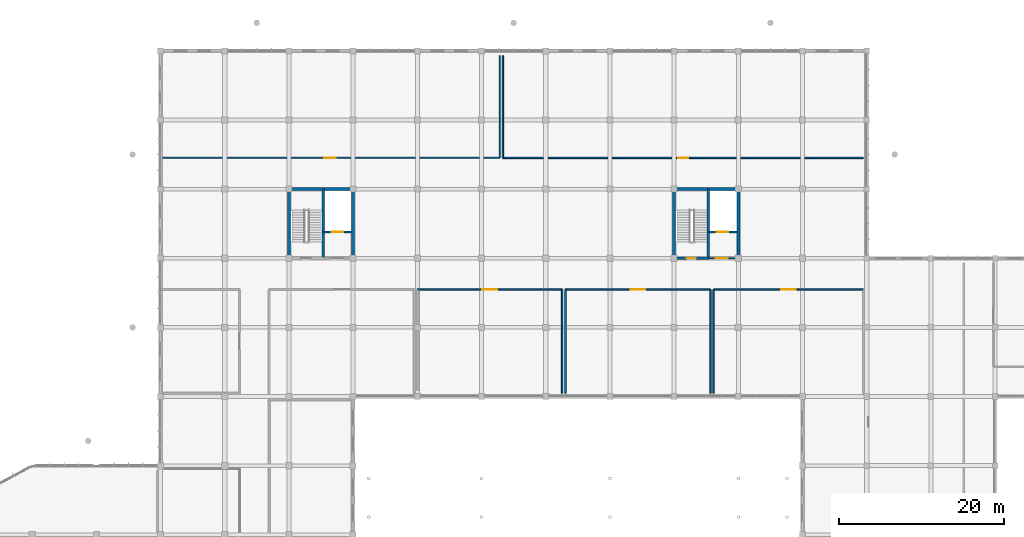
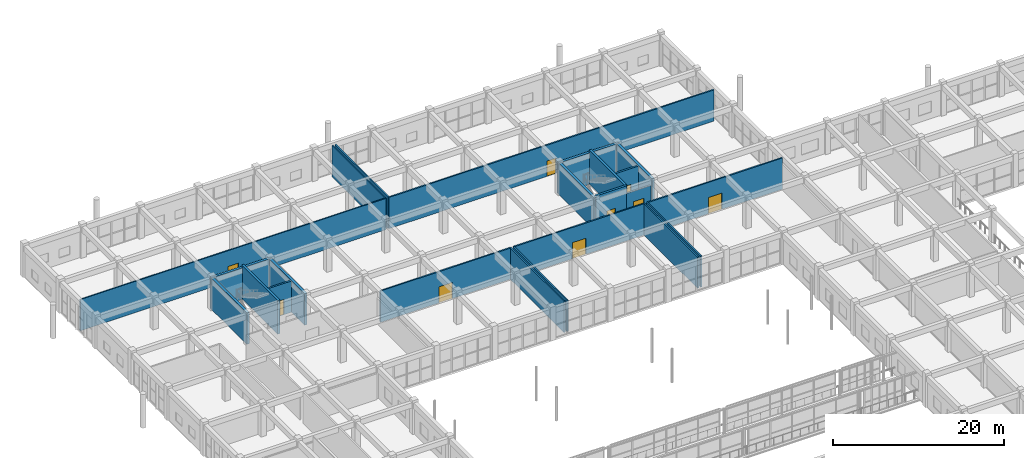
# One storey, part 163 of 175: 23 walls, 9 doors, 9 openings.
"""IFC4 building model written with IfcOpenShell, lengths in metres."""

from ifc_helpers import new_model, si_unit, direction, frame, frame_2d, origin, place, context, subcontext, project, spatial, rectangle, extrude, material, layer, layer_set, type_object, element, fill, save


model = new_model("IFC4")

# Units and contexts
model_context = context("Model", 3, precision=1e-05, world=origin(), true_north=direction((0.0, 1.0)))
body_context = subcontext(model_context, "Body", "Model", "MODEL_VIEW")
ifc_project = project(units=[si_unit("LENGTHUNIT", "METRE"), si_unit("AREAUNIT", "SQUARE_METRE"), si_unit("VOLUMEUNIT", "CUBIC_METRE"), si_unit("PLANEANGLEUNIT", "RADIAN"), si_unit("MASSUNIT", "GRAM", prefix="KILO")], contexts=[model_context])

# Site, building, storey
site_placement = place(None, origin())
site = spatial("IfcSite", under=ifc_project, at=site_placement, CompositionType="ELEMENT")
building_placement = place(site_placement, origin())
building = spatial("IfcBuilding", under=site, at=building_placement, Name="Zizhar Promenade General Hospital", CompositionType="ELEMENT")
storey_placement = place(building_placement, frame((0.0, 0.0, 4.800048828125)))
storey = spatial("IfcBuildingStorey", under=building, at=storey_placement, Name="L01", CompositionType="ELEMENT", Elevation=4.800048828125)

# Wall, opening, door
ifc_material_1 = material(Name="Concrete C35/45", Category="concrete")
ifc_layer_1 = layer(ifc_material_1, 0.215087890625)
ifc_layer_set_1 = layer_set([ifc_layer_1], Name="Concrete C35/45")
wall_type_1 = type_object("IfcWallType", Name="IW-LOBBY-215", PredefinedType="STANDARD", material=ifc_layer_set_1)
wall_1_placement = place(storey_placement, frame((113.35009765625, 109.199951171875, 0.0), z_axis=(0.0, 0.0, 1.0), x_axis=(1.0, 0.0, 0.0)))
wall_1 = element("IfcWall", 1, at=wall_1_placement, inside=storey, type_object=wall_type_1, Name="Core C7 Lift Lobby South Fire Wall (L01)", PredefinedType="STANDARD", context=body_context, shape_type="SweptSolid", body=[
    extrude(rectangle(XDim=3.289794921875, YDim=0.215087890625, at=frame_2d((1.64501953125, 0.0))), origin(), (0.0, 0.0, 1.0), 3.679931640625),
])
opening_1_placement = place(wall_1_placement, frame((0.925048828125, 0.0, 0.0)))
opening_1 = element("IfcOpeningElement", 2, at=opening_1_placement, cuts=wall_1, Name="Opening D-23", PredefinedType="OPENING", context=body_context, shape_type="SweptSolid", body=[
    extrude(rectangle(XDim=1.43994140625, YDim=2.199951171875, at=frame_2d((0.719970703125, 1.10009765625))), frame((0.0, 0.11767578125, 0.0), z_axis=(0.0, -1.0, 0.0), x_axis=(1.0, 0.0, 0.0)), (0.0, 0.0, 1.0), 0.235107421875),
])
ifc_material_2 = material(Name="Fire-rated timber lift lobby pair", Category="wood")
door_type_1 = type_object("IfcDoorType", Name="DR-LOBBY-PR-144x220", OperationType="DOUBLE_DOOR_SINGLE_SWING", PredefinedType="DOOR", material=ifc_material_2)
door_1_placement = place(opening_1_placement, origin())
door_1 = element("IfcDoor", 3, at=door_1_placement, inside=storey, type_object=door_type_1, Name="Core C7 Protected Lift Lobby Door (L01)", OperationType="DOUBLE_DOOR_SINGLE_SWING", OverallHeight=2.199951171875, OverallWidth=1.43994140625, PredefinedType="DOOR", context=body_context, shape_type="SweptSolid", body=[
    extrude(rectangle(XDim=1.43994140625, YDim=2.199951171875, at=frame_2d((0.719970703125, 1.10009765625))), frame((0.0, 0.02490234375, 0.0), z_axis=(0.0, -1.0, 0.0), x_axis=(1.0, 0.0, 0.0)), (0.0, 0.0, 1.0), 0.050048828125),
])
fill(opening_1, door_1)

ifc_material_3 = material(Name="Hygienic cleanroom aluminium-faced gypsum partition", Category="aluminium")
ifc_layer_2 = layer(ifc_material_3, 0.18994140625)
ifc_layer_set_2 = layer_set([ifc_layer_2], Name="Hygienic cleanroom aluminium-faced gypsum partition")
wall_type_2 = type_object("IfcWallType", Name="IW-OR-190", PredefinedType="PARTITIONING", material=ifc_layer_set_2)
wall_2_placement = place(storey_placement, frame((78.0, 105.39990234375, 0.0), z_axis=(0.0, 0.0, 1.0), x_axis=(1.0, 0.0, 0.0)))
wall_2 = element("IfcWall", 4, at=wall_2_placement, inside=storey, type_object=wall_type_2, Name="Operating Theatre 03 N Partition", PredefinedType="PARTITIONING", context=body_context, shape_type="SweptSolid", body=[
    extrude(rectangle(XDim=17.60009765625, YDim=0.18994140625, at=frame_2d((8.800048828125, 0.0))), origin(), (0.0, 0.0, 1.0), 4.4599609375),
])
opening_2_placement = place(wall_2_placement, frame((7.89990234375, 0.0, 0.0)))
opening_2 = element("IfcOpeningElement", 5, at=opening_2_placement, cuts=wall_2, Name="Opening D-03", PredefinedType="OPENING", context=body_context, shape_type="SweptSolid", body=[
    extrude(rectangle(XDim=1.800048828125, YDim=2.300048828125, at=frame_2d((0.89990234375, 1.14990234375))), frame((0.0, 0.10498046875, 0.0), z_axis=(0.0, -1.0, 0.0), x_axis=(1.0, 0.0, 0.0)), (0.0, 0.0, 1.0), 0.2099609375),
])
ifc_material_4 = material(Name="Anodised aluminium cleanroom hermetic leaf", Category="aluminium")
door_type_2 = type_object("IfcDoorType", Name="DR-OR-SLIDE-180x230", OperationType="SLIDING_TO_LEFT", PredefinedType="DOOR", material=ifc_material_4)
door_2_placement = place(opening_2_placement, origin())
door_2 = element("IfcDoor", 6, at=door_2_placement, inside=storey, type_object=door_type_2, Name="Operating Theatre 03 Door", OperationType="SLIDING_TO_LEFT", OverallHeight=2.300048828125, OverallWidth=1.800048828125, PredefinedType="DOOR", context=body_context, shape_type="SweptSolid", body=[
    extrude(rectangle(XDim=1.800048828125, YDim=2.300048828125, at=frame_2d((0.89990234375, 1.14990234375))), frame((0.0, 0.02490234375, 0.0), z_axis=(0.0, -1.0, 0.0), x_axis=(1.0, 0.0, 0.0)), (0.0, 0.0, 1.0), 0.050048828125),
])
fill(opening_2, door_2)

# Wall
wall_3_placement = place(storey_placement, frame((95.60009765625, 92.800048828125, 0.0), z_axis=(0.0, 0.0, 1.0), x_axis=(0.0, 1.0, 0.0)))
element("IfcWall", 7, at=wall_3_placement, inside=storey, type_object=wall_type_2, Name="Operating Theatre 03 E Partition", PredefinedType="PARTITIONING", context=body_context, shape_type="SweptSolid", body=[
    extrude(rectangle(XDim=12.599853515625, YDim=0.18994140625, at=frame_2d((6.2998046875, 0.0))), origin(), (0.0, 0.0, 1.0), 4.4599609375),
])

# Wall, opening, door
wall_4_placement = place(storey_placement, frame((96.0, 105.39990234375, 0.0), z_axis=(0.0, 0.0, 1.0), x_axis=(1.0, 0.0, 0.0)))
wall_4 = element("IfcWall", 8, at=wall_4_placement, inside=storey, type_object=wall_type_2, Name="Operating Theatre 04 N Partition", PredefinedType="PARTITIONING", context=body_context, shape_type="SweptSolid", body=[
    extrude(rectangle(XDim=17.60009765625, YDim=0.18994140625, at=frame_2d((8.800048828125, 0.0))), origin(), (0.0, 0.0, 1.0), 4.4599609375),
])
opening_3_placement = place(wall_4_placement, frame((7.89990234375, 0.0, 0.0)))
opening_3 = element("IfcOpeningElement", 9, at=opening_3_placement, cuts=wall_4, Name="Opening D-03", PredefinedType="OPENING", context=body_context, shape_type="SweptSolid", body=[
    extrude(rectangle(XDim=1.800048828125, YDim=2.300048828125, at=frame_2d((0.89990234375, 1.14990234375))), frame((0.0, 0.10498046875, 0.0), z_axis=(0.0, -1.0, 0.0), x_axis=(1.0, 0.0, 0.0)), (0.0, 0.0, 1.0), 0.2099609375),
])
door_3_placement = place(opening_3_placement, origin())
door_3 = element("IfcDoor", 10, at=door_3_placement, inside=storey, type_object=door_type_2, Name="Operating Theatre 04 Door", OperationType="SLIDING_TO_LEFT", OverallHeight=2.300048828125, OverallWidth=1.800048828125, PredefinedType="DOOR", context=body_context, shape_type="SweptSolid", body=[
    extrude(rectangle(XDim=1.800048828125, YDim=2.300048828125, at=frame_2d((0.89990234375, 1.14990234375))), frame((0.0, 0.02490234375, 0.0), z_axis=(0.0, -1.0, 0.0), x_axis=(1.0, 0.0, 0.0)), (0.0, 0.0, 1.0), 0.050048828125),
])
fill(opening_3, door_3)

# Walls
for number, where, z_axis, x_axis, name in (
    (11, (96.0, 92.800048828125, 0.0), (0.0, 0.0, 1.0), (0.0, 1.0, 0.0), "Operating Theatre 04 W Partition"),
    (12, (113.60009765625, 92.800048828125, 0.0), (0.0, 0.0, 1.0), (0.0, 1.0, 0.0), "Operating Theatre 04 E Partition"),
):
    element("IfcWall", number, at=place(storey_placement, frame(where, z_axis=z_axis, x_axis=x_axis)), inside=storey, type_object=wall_type_2, Name=name, PredefinedType="PARTITIONING", context=body_context, shape_type="SweptSolid", body=[
        extrude(rectangle(XDim=12.599853515625, YDim=0.18994140625, at=frame_2d((6.2998046875, 0.0))), origin(), (0.0, 0.0, 1.0), 4.4599609375),
    ])

# Wall, opening, door
wall_5_placement = place(storey_placement, frame((114.0, 105.39990234375, 0.0), z_axis=(0.0, 0.0, 1.0), x_axis=(1.0, 0.0, 0.0)))
wall_5 = element("IfcWall", 13, at=wall_5_placement, inside=storey, type_object=wall_type_2, Name="Operating Theatre 05 N Partition", PredefinedType="PARTITIONING", context=body_context, shape_type="SweptSolid", body=[
    extrude(rectangle(XDim=18.199951171875, YDim=0.18994140625, at=frame_2d((9.10009765625, 0.0))), origin(), (0.0, 0.0, 1.0), 4.4599609375),
])
opening_4_placement = place(wall_5_placement, frame((8.199951171875, 0.0, 0.0)))
opening_4 = element("IfcOpeningElement", 14, at=opening_4_placement, cuts=wall_5, Name="Opening D-03", PredefinedType="OPENING", context=body_context, shape_type="SweptSolid", body=[
    extrude(rectangle(XDim=1.800048828125, YDim=2.300048828125, at=frame_2d((0.89990234375, 1.14990234375))), frame((0.0, 0.10498046875, 0.0), z_axis=(0.0, -1.0, 0.0), x_axis=(1.0, 0.0, 0.0)), (0.0, 0.0, 1.0), 0.2099609375),
])
door_4_placement = place(opening_4_placement, origin())
door_4 = element("IfcDoor", 15, at=door_4_placement, inside=storey, type_object=door_type_2, Name="Operating Theatre 05 Door", OperationType="SLIDING_TO_LEFT", OverallHeight=2.300048828125, OverallWidth=1.800048828125, PredefinedType="DOOR", context=body_context, shape_type="SweptSolid", body=[
    extrude(rectangle(XDim=1.800048828125, YDim=2.300048828125, at=frame_2d((0.89990234375, 1.14990234375))), frame((0.0, 0.02490234375, 0.0), z_axis=(0.0, -1.0, 0.0), x_axis=(1.0, 0.0, 0.0)), (0.0, 0.0, 1.0), 0.050048828125),
])
fill(opening_4, door_4)

# Wall
wall_6_placement = place(storey_placement, frame((114.0, 92.800048828125, 0.0), z_axis=(0.0, 0.0, 1.0), x_axis=(0.0, 1.0, 0.0)))
element("IfcWall", 16, at=wall_6_placement, inside=storey, type_object=wall_type_2, Name="Operating Theatre 05 W Partition", PredefinedType="PARTITIONING", context=body_context, shape_type="SweptSolid", body=[
    extrude(rectangle(XDim=12.599853515625, YDim=0.18994140625, at=frame_2d((6.2998046875, 0.0))), origin(), (0.0, 0.0, 1.0), 4.4599609375),
])

# Wall, opening, door
wall_7_placement = place(storey_placement, frame((88.39990234375, 121.39990234375, 0.0), z_axis=(0.0, 0.0, 1.0), x_axis=(1.0, 0.0, 0.0)))
wall_7 = element("IfcWall", 17, at=wall_7_placement, inside=storey, type_object=wall_type_2, Name="Surgical Scrub, Anaesthesia Prep and Clean Core L01 S Partition", PredefinedType="PARTITIONING", context=body_context, shape_type="SweptSolid", body=[
    extrude(rectangle(XDim=43.800048828125, YDim=0.18994140625, at=frame_2d((21.89990234375, 0.0))), origin(), (0.0, 0.0, 1.0), 4.4599609375),
])
opening_5_placement = place(wall_7_placement, frame((21.300048828125, 0.0, 0.0)))
opening_5 = element("IfcOpeningElement", 18, at=opening_5_placement, cuts=wall_7, Name="Opening D-04", PredefinedType="OPENING", context=body_context, shape_type="SweptSolid", body=[
    extrude(rectangle(XDim=1.199951171875, YDim=2.199951171875, at=frame_2d((0.60009765625, 1.10009765625))), frame((0.0, 0.10498046875, 0.0), z_axis=(0.0, -1.0, 0.0), x_axis=(1.0, 0.0, 0.0)), (0.0, 0.0, 1.0), 0.2099609375),
])
ifc_material_5 = material(Name="Anodised aluminium cleanroom leaf", Category="aluminium")
door_type_3 = type_object("IfcDoorType", Name="DR-OR-SCRUB-120x220", OperationType="SINGLE_SWING_LEFT", PredefinedType="DOOR", material=ifc_material_5)
door_5_placement = place(opening_5_placement, origin())
door_5 = element("IfcDoor", 19, at=door_5_placement, inside=storey, type_object=door_type_3, Name="Surgical Scrub, Anaesthesia Prep and Clean Core L01 Door", OperationType="SINGLE_SWING_LEFT", OverallHeight=2.199951171875, OverallWidth=1.199951171875, PredefinedType="DOOR", context=body_context, shape_type="SweptSolid", body=[
    extrude(rectangle(XDim=1.199951171875, YDim=2.199951171875, at=frame_2d((0.60009765625, 1.10009765625))), frame((0.0, 0.02490234375, 0.0), z_axis=(0.0, -1.0, 0.0), x_axis=(1.0, 0.0, 0.0)), (0.0, 0.0, 1.0), 0.050048828125),
])
fill(opening_5, door_5)

# Wall
wall_8_placement = place(storey_placement, frame((88.39990234375, 121.39990234375, 0.0), z_axis=(0.0, 0.0, 1.0), x_axis=(0.0, 1.0, 0.0)))
element("IfcWall", 20, at=wall_8_placement, inside=storey, type_object=wall_type_2, Name="Surgical Scrub, Anaesthesia Prep and Clean Core L01 W Partition", PredefinedType="PARTITIONING", context=body_context, shape_type="SweptSolid", body=[
    extrude(rectangle(XDim=12.400146484375, YDim=0.18994140625, at=frame_2d((6.2001953125, 0.0))), origin(), (0.0, 0.0, 1.0), 4.4599609375),
])

# Wall, opening, door
ifc_material_6 = material(Name="Concrete C35/45", Category="concrete")
ifc_layer_3 = layer(ifc_material_6, 0.25)
ifc_layer_set_3 = layer_set([ifc_layer_3], Name="Concrete C35/45")
wall_type_3 = type_object("IfcWallType", Name="IW-SHAFT-250", PredefinedType="STANDARD", material=ifc_layer_set_3)
wall_9_placement = place(storey_placement, frame((66.550048828125, 112.39990234375, 0.0), z_axis=(0.0, 0.0, 1.0), x_axis=(1.0, 0.0, 0.0)))
wall_9 = element("IfcWall", 21, at=wall_9_placement, inside=storey, type_object=wall_type_3, Name="Core C6 Lift Shaft Landing Wall (L01)", PredefinedType="STANDARD", context=body_context, shape_type="SweptSolid", body=[
    extrude(rectangle(XDim=3.5, YDim=0.25, at=frame_2d((1.75, 0.0))), origin(), (0.0, 0.0, 1.0), 4.4599609375),
])
opening_6_placement = place(wall_9_placement, frame((1.050048828125, 0.0, 0.0)))
opening_6 = element("IfcOpeningElement", 22, at=opening_6_placement, cuts=wall_9, Name="Opening LD-14", PredefinedType="OPENING", context=body_context, shape_type="SweptSolid", body=[
    extrude(rectangle(XDim=1.39990234375, YDim=2.199951171875, at=frame_2d((0.699951171875, 1.10009765625))), frame((0.0, 0.135009765625, 0.0), z_axis=(0.0, -1.0, 0.0), x_axis=(1.0, 0.0, 0.0)), (0.0, 0.0, 1.0), 0.27001953125),
])
ifc_material_7 = material(Name="Stainless Steel S355 hospital lift landing door", Category="steel")
door_type_4 = type_object("IfcDoorType", Name="DR-LIFT-LD14", OperationType="SLIDING_TO_LEFT", PredefinedType="DOOR", material=ifc_material_7)
door_6_placement = place(opening_6_placement, origin())
door_6 = element("IfcDoor", 23, at=door_6_placement, inside=storey, type_object=door_type_4, Name="Lift LG-01 Sliding Landing Door (L01)", OperationType="SLIDING_TO_LEFT", OverallHeight=2.199951171875, OverallWidth=1.39990234375, PredefinedType="DOOR", context=body_context, shape_type="SweptSolid", body=[
    extrude(rectangle(XDim=1.39990234375, YDim=2.199951171875, at=frame_2d((0.699951171875, 1.10009765625))), frame((0.0, 0.02490234375, 0.0), z_axis=(0.0, -1.0, 0.0), x_axis=(1.0, 0.0, 0.0)), (0.0, 0.0, 1.0), 0.050048828125),
])
fill(opening_6, door_6)

wall_10_placement = place(storey_placement, frame((113.35009765625, 112.39990234375, 0.0), z_axis=(0.0, 0.0, 1.0), x_axis=(1.0, 0.0, 0.0)))
wall_10 = element("IfcWall", 24, at=wall_10_placement, inside=storey, type_object=wall_type_3, Name="Core C7 Lift Shaft Landing Wall (L01)", PredefinedType="STANDARD", context=body_context, shape_type="SweptSolid", body=[
    extrude(rectangle(XDim=3.5, YDim=0.25, at=frame_2d((1.75, 0.0))), origin(), (0.0, 0.0, 1.0), 4.4599609375),
])
opening_7_placement = place(wall_10_placement, frame((1.050048828125, 0.0, 0.0)))
opening_7 = element("IfcOpeningElement", 25, at=opening_7_placement, cuts=wall_10, Name="Opening LD-14", PredefinedType="OPENING", context=body_context, shape_type="SweptSolid", body=[
    extrude(rectangle(XDim=1.39990234375, YDim=2.199951171875, at=frame_2d((0.699951171875, 1.10009765625))), frame((0.0, 0.135009765625, 0.0), z_axis=(0.0, -1.0, 0.0), x_axis=(1.0, 0.0, 0.0)), (0.0, 0.0, 1.0), 0.27001953125),
])
door_7_placement = place(opening_7_placement, origin())
door_7 = element("IfcDoor", 26, at=door_7_placement, inside=storey, type_object=door_type_4, Name="Lift LG-02 Sliding Landing Door (L01)", OperationType="SLIDING_TO_LEFT", OverallHeight=2.199951171875, OverallWidth=1.39990234375, PredefinedType="DOOR", context=body_context, shape_type="SweptSolid", body=[
    extrude(rectangle(XDim=1.39990234375, YDim=2.199951171875, at=frame_2d((0.699951171875, 1.10009765625))), frame((0.0, 0.02490234375, 0.0), z_axis=(0.0, -1.0, 0.0), x_axis=(1.0, 0.0, 0.0)), (0.0, 0.0, 1.0), 0.050048828125),
])
fill(opening_7, door_7)

ifc_material_8 = material(Name="Acoustic patient bedroom partition")
ifc_layer_4 = layer(ifc_material_8, 0.155029296875)
ifc_layer_set_4 = layer_set([ifc_layer_4], Name="Acoustic patient bedroom partition")
wall_type_4 = type_object("IfcWallType", Name="IW-WARD-155", PredefinedType="PARTITIONING", material=ifc_layer_set_4)
wall_11_placement = place(storey_placement, frame((46.800048828125, 121.39990234375, 0.0), z_axis=(0.0, 0.0, 1.0), x_axis=(1.0, 0.0, 0.0)))
wall_11 = element("IfcWall", 27, at=wall_11_placement, inside=storey, type_object=wall_type_4, Name="Post-Anaesthesia Surgical Recovery Ward L01 S Partition", PredefinedType="PARTITIONING", context=body_context, shape_type="SweptSolid", body=[
    extrude(rectangle(XDim=41.199951171875, YDim=0.155029296875, at=frame_2d((20.60009765625, 0.0))), origin(), (0.0, 0.0, 1.0), 4.4599609375),
])
opening_8_placement = place(wall_11_placement, frame((19.89990234375, 0.0, 0.0)))
opening_8 = element("IfcOpeningElement", 28, at=opening_8_placement, cuts=wall_11, Name="Opening D-06", PredefinedType="OPENING", context=body_context, shape_type="SweptSolid", body=[
    extrude(rectangle(XDim=1.39990234375, YDim=2.199951171875, at=frame_2d((0.699951171875, 1.10009765625))), frame((0.0, 0.08740234375, 0.0), z_axis=(0.0, -1.0, 0.0), x_axis=(1.0, 0.0, 0.0)), (0.0, 0.0, 1.0), 0.175048828125),
])
ifc_material_9 = material(Name="Fire-rated timber hospital bed leaf", Category="wood")
door_type_5 = type_object("IfcDoorType", Name="DR-BED-WARD-140x220", OperationType="NOTDEFINED", PredefinedType="DOOR", material=ifc_material_9)
door_8_placement = place(opening_8_placement, origin())
door_8 = element("IfcDoor", 29, at=door_8_placement, inside=storey, type_object=door_type_5, Name="Post-Anaesthesia Surgical Recovery Ward L01 Door", OperationType="SINGLE_SWING_RIGHT", OverallHeight=2.199951171875, OverallWidth=1.39990234375, PredefinedType="DOOR", context=body_context, shape_type="SweptSolid", body=[
    extrude(rectangle(XDim=1.39990234375, YDim=2.199951171875, at=frame_2d((0.699951171875, 1.10009765625))), frame((0.0, 0.02490234375, 0.0), z_axis=(0.0, -1.0, 0.0), x_axis=(1.0, 0.0, 0.0)), (0.0, 0.0, 1.0), 0.050048828125),
])
fill(opening_8, door_8)

# Walls
wall_12_placement = place(storey_placement, frame((88.0, 121.39990234375, 0.0), z_axis=(0.0, 0.0, 1.0), x_axis=(0.0, 1.0, 0.0)))
element("IfcWall", 30, at=wall_12_placement, inside=storey, type_object=wall_type_4, Name="Post-Anaesthesia Surgical Recovery Ward L01 E Partition", PredefinedType="PARTITIONING", context=body_context, shape_type="SweptSolid", body=[
    extrude(rectangle(XDim=12.400146484375, YDim=0.155029296875, at=frame_2d((6.2001953125, 0.0))), origin(), (0.0, 0.0, 1.0), 4.4599609375),
])
ifc_material_10 = material(Name="Concrete C40/50", Category="concrete")
ifc_layer_5 = layer(ifc_material_10, 0.300048828125)
ifc_layer_set_5 = layer_set([ifc_layer_5], Name="Concrete C40/50")
wall_type_5 = type_object("IfcWallType", Name="WL-CORE-300", PredefinedType="SHEAR", material=ifc_layer_set_5)
wall_13_placement = place(storey_placement, frame((66.550048828125, 109.199951171875, 0.0), z_axis=(0.0, 0.0, 1.0), x_axis=(0.0, 1.0, 0.0)))
element("IfcWall", 31, at=wall_13_placement, inside=storey, type_object=wall_type_5, Name="Core C6 Stair-Shaft Separation Wall (L01)", PredefinedType="SHEAR", context=body_context, shape_type="SweptSolid", body=[
    extrude(rectangle(XDim=8.400146484375, YDim=0.300048828125, at=frame_2d((4.2001953125, 0.0))), origin(), (0.0, 0.0, 1.0), 4.800048828125),
])

# Wall, opening, door
wall_14_placement = place(storey_placement, frame((109.199951171875, 109.199951171875, 0.0), z_axis=(0.0, 0.0, 1.0), x_axis=(1.0, 0.0, 0.0)))
wall_14 = element("IfcWall", 32, at=wall_14_placement, inside=storey, type_object=wall_type_5, Name="Core C7 Stair South Fire Wall (L01)", PredefinedType="SHEAR", context=body_context, shape_type="SweptSolid", body=[
    extrude(rectangle(XDim=4.150146484375, YDim=0.300048828125, at=frame_2d((2.0751953125, 0.0))), origin(), (0.0, 0.0, 1.0), 4.800048828125),
])
opening_9_placement = place(wall_14_placement, frame((1.514892578125, 0.0, 0.0)))
opening_9 = element("IfcOpeningElement", 33, at=opening_9_placement, cuts=wall_14, Name="Opening D-21", PredefinedType="OPENING", context=body_context, shape_type="SweptSolid", body=[
    extrude(rectangle(XDim=1.1201171875, YDim=2.14990234375, at=frame_2d((0.56005859375, 1.074951171875))), frame((0.0, 0.16015625, 0.0), z_axis=(0.0, -1.0, 0.0), x_axis=(1.0, 0.0, 0.0)), (0.0, 0.0, 1.0), 0.320068359375),
])
ifc_material_11 = material(Name="Steel S355 protected stair door", Category="steel")
door_type_6 = type_object("IfcDoorType", Name="DR-STAIR-112x215", OperationType="NOTDEFINED", PredefinedType="DOOR", material=ifc_material_11)
door_9_placement = place(opening_9_placement, origin())
door_9 = element("IfcDoor", 34, at=door_9_placement, inside=storey, type_object=door_type_6, Name="Exit Stair ST-07 Door (L01)", OperationType="SINGLE_SWING_LEFT", OverallHeight=2.14990234375, OverallWidth=1.1201171875, PredefinedType="DOOR", context=body_context, shape_type="SweptSolid", body=[
    extrude(rectangle(XDim=1.1201171875, YDim=2.14990234375, at=frame_2d((0.56005859375, 1.074951171875))), frame((0.0, 0.02490234375, 0.0), z_axis=(0.0, -1.0, 0.0), x_axis=(1.0, 0.0, 0.0)), (0.0, 0.0, 1.0), 0.050048828125),
])
fill(opening_9, door_9)

# Walls
wall_15_placement = place(storey_placement, frame((113.35009765625, 109.199951171875, 0.0), z_axis=(0.0, 0.0, 1.0), x_axis=(0.0, 1.0, 0.0)))
element("IfcWall", 35, at=wall_15_placement, inside=storey, type_object=wall_type_5, Name="Core C7 Stair-Shaft Separation Wall (L01)", PredefinedType="SHEAR", context=body_context, shape_type="SweptSolid", body=[
    extrude(rectangle(XDim=8.400146484375, YDim=0.300048828125, at=frame_2d((4.2001953125, 0.0))), origin(), (0.0, 0.0, 1.0), 4.800048828125),
])
ifc_material_12 = material(Name="Concrete C40/50", Category="concrete")
ifc_layer_6 = layer(ifc_material_12, 0.35009765625)
ifc_layer_set_6 = layer_set([ifc_layer_6], Name="Concrete C40/50")
wall_type_6 = type_object("IfcWallType", Name="WL-CORE-350", PredefinedType="SHEAR", material=ifc_layer_set_6)
wall_16_placement = place(storey_placement, frame((62.22509765625, 117.60009765625, 0.0), z_axis=(0.0, 0.0, 1.0), x_axis=(1.0, 0.0, 0.0)))
element("IfcWall", 36, at=wall_16_placement, inside=storey, type_object=wall_type_6, Name="Core C6 North Shear Wall L01", PredefinedType="SHEAR", context=body_context, shape_type="SweptSolid", body=[
    extrude(rectangle(XDim=8.14990234375, YDim=0.35009765625, at=frame_2d((4.074951171875, 0.0))), origin(), (0.0, 0.0, 1.0), 4.47998046875),
])
for number, where, z_axis, x_axis, name in (
    (37, (62.39990234375, 109.199951171875, 0.0), (0.0, 0.0, 1.0), (0.0, 1.0, 0.0), "Core C6 West Shear Wall L01"),
    (38, (70.199951171875, 109.199951171875, 0.0), (0.0, 0.0, 1.0), (0.0, 1.0, 0.0), "Core C6 East Shear Wall L01"),
):
    element("IfcWall", number, at=place(storey_placement, frame(where, z_axis=z_axis, x_axis=x_axis)), inside=storey, type_object=wall_type_6, Name=name, PredefinedType="SHEAR", context=body_context, shape_type="SweptSolid", body=[
        extrude(rectangle(XDim=8.400146484375, YDim=0.35009765625, at=frame_2d((4.2001953125, 0.0))), origin(), (0.0, 0.0, 1.0), 4.47998046875),
    ])
wall_17_placement = place(storey_placement, frame((109.02490234375, 117.60009765625, 0.0), z_axis=(0.0, 0.0, 1.0), x_axis=(1.0, 0.0, 0.0)))
element("IfcWall", 39, at=wall_17_placement, inside=storey, type_object=wall_type_6, Name="Core C7 North Shear Wall L01", PredefinedType="SHEAR", context=body_context, shape_type="SweptSolid", body=[
    extrude(rectangle(XDim=8.150146484375, YDim=0.35009765625, at=frame_2d((4.0751953125, 0.0))), origin(), (0.0, 0.0, 1.0), 4.47998046875),
])
for number, where, z_axis, x_axis, name in (
    (40, (109.199951171875, 109.199951171875, 0.0), (0.0, 0.0, 1.0), (0.0, 1.0, 0.0), "Core C7 West Shear Wall L01"),
    (41, (117.0, 109.199951171875, 0.0), (0.0, 0.0, 1.0), (0.0, 1.0, 0.0), "Core C7 East Shear Wall L01"),
):
    element("IfcWall", number, at=place(storey_placement, frame(where, z_axis=z_axis, x_axis=x_axis)), inside=storey, type_object=wall_type_6, Name=name, PredefinedType="SHEAR", context=body_context, shape_type="SweptSolid", body=[
        extrude(rectangle(XDim=8.400146484375, YDim=0.35009765625, at=frame_2d((4.2001953125, 0.0))), origin(), (0.0, 0.0, 1.0), 4.47998046875),
    ])

save(model, "model.ifc")
